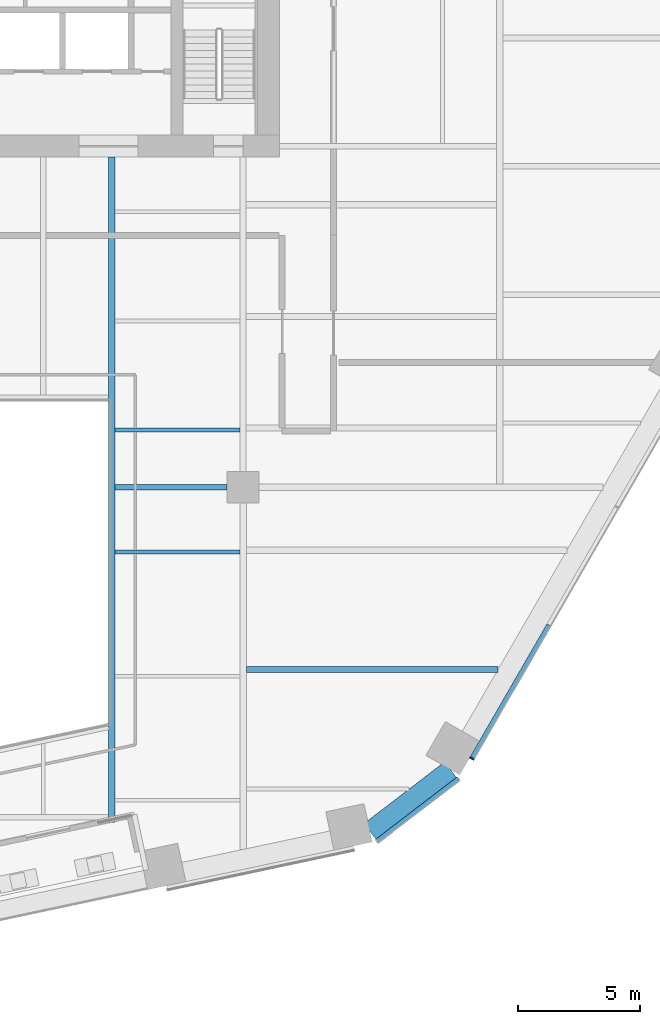
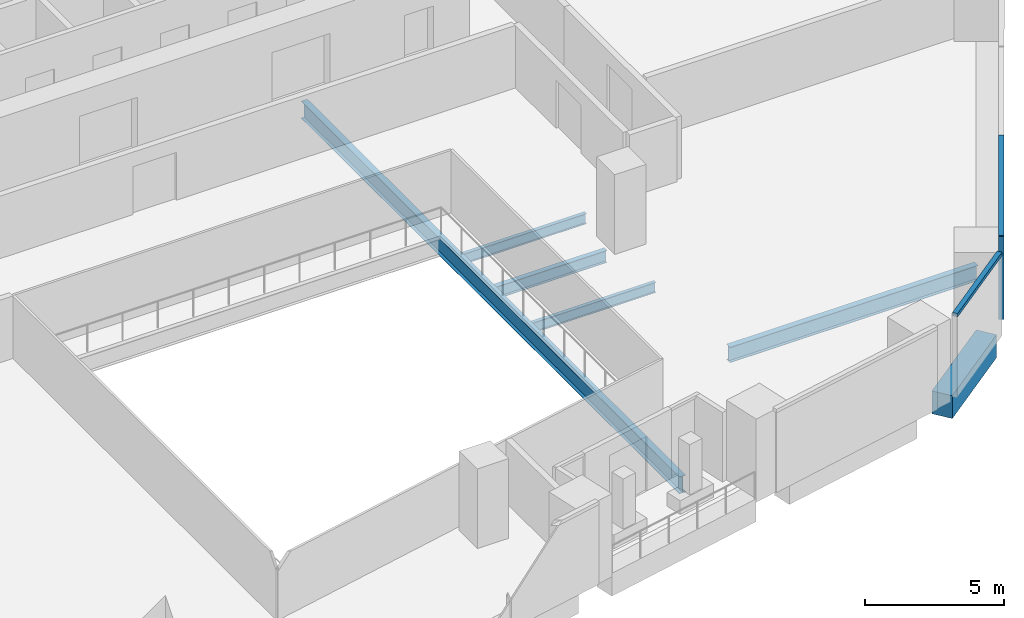
# One storey, part 7 of 28: 6 beams, 3 members, 2 elements without a shape of their own.
"""IFC4 building model written with IfcOpenShell, lengths in metres."""

from ifc_helpers import new_model, si_unit, direction, frame, origin, origin_2d, place, context, subcontext, project, spatial, rectangle, i_section, extrude, material, layer, layer_set, material_profile, profile_set, type_object, element, aggregate, save


model = new_model("IFC4")

# Units and contexts
model_context = context("Model", 3, precision=1e-05, world=origin(), true_north=direction((0.0, 1.0)))
body_context = subcontext(model_context, "Body", "Model", "MODEL_VIEW")
ifc_project = project(units=[si_unit("LENGTHUNIT", "METRE"), si_unit("AREAUNIT", "SQUARE_METRE"), si_unit("VOLUMEUNIT", "CUBIC_METRE"), si_unit("PLANEANGLEUNIT", "RADIAN"), si_unit("MASSUNIT", "GRAM", prefix="KILO")], contexts=[model_context])

# Site, building, storey
site_placement = place(None, origin())
site = spatial("IfcSite", under=ifc_project, at=site_placement, CompositionType="ELEMENT")
building_placement = place(site_placement, origin())
building = spatial("IfcBuilding", under=site, at=building_placement, Name="Isthmus Gate Tower", CompositionType="ELEMENT")
storey_placement = place(building_placement, frame((0.0, 0.0, 98.89990234375)))
storey = spatial("IfcBuildingStorey", under=building, at=storey_placement, Name="L23", CompositionType="ELEMENT", Elevation=98.89990234375)

# Curtain wall, member
ifc_material_1 = material(Name="Aluminium, pale champagne anodised", Category="aluminium")
ifc_layer = layer(ifc_material_1, 0.199951171875)
ifc_layer_set = layer_set([ifc_layer], Name="CW-1 UNITISED CURTAIN WALL 200 DEEP")
curtain_wall_type = type_object("IfcCurtainWallType", Name="CW-1 UNITISED CURTAIN WALL 200 DEEP", PredefinedType="NOTDEFINED", material=ifc_layer_set)
curtain_wall_1_placement = place(storey_placement, origin())
curtain_wall_1 = element("IfcCurtainWall", 1, at=curtain_wall_1_placement, inside=storey, type_object=curtain_wall_type, Name="CW-1 SE L23", PredefinedType="NOTDEFINED")
ifc_material_2 = material(Name="Aluminium, pale champagne anodised", Category="aluminium")
ifc_material_profile_1 = material_profile(ifc_material_2, rectangle(XDim=0.06005859375, YDim=0.199951171875, at=origin_2d()), Name="60x200")
ifc_profile_set_1 = profile_set([ifc_material_profile_1], Name="Aluminium, pale champagne anodised")
member_type_1 = type_object("IfcMemberType", Name="CW-1 MULLION 60 X 200", PredefinedType="MULLION", material=ifc_profile_set_1)
member_1_placement = place(storey_placement, frame((22.863525390625, -24.599365234375, 0.0), z_axis=(0.0, 0.0, 1.0), x_axis=(0.5, 0.866025403784, 0.0)))
member_1 = element("IfcMember", 2, at=member_1_placement, type_object=member_type_1, Name="CW-1 mullion", PredefinedType="MULLION", context=body_context, shape_type="SweptSolid", body=[
    extrude(rectangle(XDim=0.06005859375, YDim=0.199951171875, at=origin_2d()), origin(), (0.0, 0.0, 1.0), 3.650146484375),
])

curtain_wall_2_placement = place(storey_placement, origin())
curtain_wall_2 = element("IfcCurtainWall", 3, at=curtain_wall_2_placement, inside=storey, type_object=curtain_wall_type, Name="CW-1 S-SE L23", PredefinedType="NOTDEFINED")
ifc_material_3 = material(Name="Aluminium, pale champagne anodised", Category="aluminium")
ifc_material_profile_2 = material_profile(ifc_material_3, rectangle(XDim=0.199951171875, YDim=0.14990234375, at=origin_2d()), Name="200x150")
ifc_profile_set_2 = profile_set([ifc_material_profile_2], Name="Aluminium, pale champagne anodised")
member_type_2 = type_object("IfcMemberType", Name="CW-1 TRANSOM 200 X 150", PredefinedType="USERDEFINED", material=ifc_profile_set_2)
member_2_placement = place(storey_placement, frame((19.002685546875, -27.96435546875, 3.5751953125), z_axis=(0.794175498212, 0.607688471209, 0.0), x_axis=(-0.607688471209, 0.794175498212, 0.0)))
member_2 = element("IfcMember", 4, at=member_2_placement, type_object=member_type_2, Name="CW-1 transom", ObjectType="TRANSOM", PredefinedType="USERDEFINED", context=body_context, shape_type="SweptSolid", body=[
    extrude(rectangle(XDim=0.199951171875, YDim=0.14990234375, at=origin_2d()), origin(), (0.0, 0.0, 1.0), 4.181396484375),
])
aggregate(curtain_wall_2, [member_2])

# Member
member_3_placement = place(storey_placement, frame((22.87841796875, -24.5732421875, 3.5751953125), z_axis=(0.50002426866, 0.866011391814, 0.0), x_axis=(-0.866011391814, 0.50002426866, 0.0)))
member_3 = element("IfcMember", 5, at=member_3_placement, type_object=member_type_2, Name="CW-1 transom", ObjectType="TRANSOM", PredefinedType="USERDEFINED", context=body_context, shape_type="SweptSolid", body=[
    extrude(rectangle(XDim=0.199951171875, YDim=0.14990234375, at=origin_2d()), origin(), (0.0, 0.0, 1.0), 6.278564453125),
])

aggregate(curtain_wall_1, [member_1, member_3])

# Beams
ifc_material_4 = material(Name="Concrete f'c 70 MPa", Category="concrete")
ifc_material_profile_3 = material_profile(ifc_material_4, rectangle(XDim=0.800048828125, YDim=1.0, at=origin_2d()), Name="RC 800X1000")
ifc_profile_set_3 = profile_set([ifc_material_profile_3], Name="Concrete f'c 70 MPa")
beam_type_1 = type_object("IfcBeamType", Name="RC SPANDREL 800 X 1000", PredefinedType="SPANDREL", material=ifc_profile_set_3)
beam_1_placement = place(storey_placement, frame((21.98681640625, -25.051513671875, -0.5), z_axis=(-0.794205941875, -0.607648682949, 0.0), x_axis=(0.607648682949, -0.794205941875, 0.0)))
element("IfcBeam", 6, at=beam_1_placement, inside=storey, type_object=beam_type_1, Name="str-spandrel-L23-09", PredefinedType="SPANDREL", context=body_context, shape_type="SweptSolid", body=[
    extrude(rectangle(XDim=0.800048828125, YDim=1.0, at=origin_2d()), origin(), (0.0, 0.0, 1.0), 4.15234375),
])
ifc_material_5 = material(Name="Structural steel ASTM A992 Gr 50", Category="steel")
ifc_material_profile_4 = material_profile(ifc_material_5, i_section(OverallWidth=0.15234375, OverallDepth=0.45068359375, WebThickness=0.0078125, FlangeThickness=0.010986328125, at=origin_2d()), Name="W18X35")
ifc_profile_set_4 = profile_set([ifc_material_profile_4], Name="Structural steel ASTM A992 Gr 50")
beam_type_2 = type_object("IfcBeamType", Name="STEEL FLOOR BEAM W18X35", PredefinedType="JOIST", material=ifc_profile_set_4)
beam_2_placement = place(storey_placement, frame((8.263427734375, -11.16259765625, -0.375244140625), z_axis=(1.0, 0.0, 0.0), x_axis=(0.0, 1.0, 0.0)))
element("IfcBeam", 7, at=beam_2_placement, inside=storey, type_object=beam_type_2, Name="str-beam-L23-27-00", PredefinedType="JOIST", context=body_context, shape_type="SweptSolid", body=[
    extrude(i_section(OverallWidth=0.15234375, OverallDepth=0.45068359375, WebThickness=0.0078125, FlangeThickness=0.010986328125, at=origin_2d()), origin(), (0.0, 0.0, 1.0), 5.104736328125),
])
beam_3_placement = place(storey_placement, frame((8.263427734375, -16.144775390625, -0.375244140625), z_axis=(1.0, 0.0, 0.0), x_axis=(0.0, 1.0, 0.0)))
element("IfcBeam", 8, at=beam_3_placement, inside=storey, type_object=beam_type_2, Name="str-beam-L23-28-02", PredefinedType="JOIST", context=body_context, shape_type="SweptSolid", body=[
    extrude(i_section(OverallWidth=0.15234375, OverallDepth=0.45068359375, WebThickness=0.0078125, FlangeThickness=0.010986328125, at=origin_2d()), origin(), (0.0, 0.0, 1.0), 5.103271484375),
])
ifc_material_6 = material(Name="Structural steel ASTM A992 Gr 50", Category="steel")
ifc_material_profile_5 = material_profile(ifc_material_6, i_section(OverallWidth=0.25390625, OverallDepth=0.679443359375, WebThickness=0.010986328125, FlangeThickness=0.015869140625, at=origin_2d()), Name="W27X84")
ifc_profile_set_5 = profile_set([ifc_material_profile_5], Name="Structural steel ASTM A992 Gr 50")
beam_type_3 = type_object("IfcBeamType", Name="STEEL FLOOR BEAM W27X84", PredefinedType="JOIST", material=ifc_profile_set_5)
beam_4_placement = place(storey_placement, frame((13.63330078125, -20.958740234375, -0.489501953125), z_axis=(1.0, 0.0, 0.0), x_axis=(0.0, 1.0, 0.0)))
element("IfcBeam", 9, at=beam_4_placement, inside=storey, type_object=beam_type_3, Name="str-beam-L23-32-01", PredefinedType="JOIST", context=body_context, shape_type="SweptSolid", body=[
    extrude(i_section(OverallWidth=0.25390625, OverallDepth=0.679443359375, WebThickness=0.010986328125, FlangeThickness=0.015869140625, at=origin_2d()), origin(), (0.0, 0.0, 1.0), 10.292724609375),
])
ifc_material_7 = material(Name="Structural steel ASTM A992 Gr 50", Category="steel")
ifc_material_profile_6 = material_profile(ifc_material_7, i_section(OverallWidth=0.20947265625, OverallDepth=0.533447265625, WebThickness=0.009521484375, FlangeThickness=0.015869140625, at=origin_2d()), Name="W21X62")
ifc_profile_set_6 = profile_set([ifc_material_profile_6], Name="Structural steel ASTM A992 Gr 50")
beam_type_4 = type_object("IfcBeamType", Name="STEEL GIRDER W21X62", PredefinedType="BEAM", material=ifc_profile_set_6)
beam_5_placement = place(storey_placement, frame((8.263427734375, -13.5, -0.41650390625), z_axis=(1.0, 0.0, 0.0), x_axis=(0.0, 1.0, 0.0)))
element("IfcBeam", 10, at=beam_5_placement, inside=storey, type_object=beam_type_4, Name="str-girder-L23-07", PredefinedType="BEAM", context=body_context, shape_type="SweptSolid", body=[
    extrude(i_section(OverallWidth=0.20947265625, OverallDepth=0.533447265625, WebThickness=0.009521484375, FlangeThickness=0.015869140625, at=origin_2d()), origin(), (0.0, 0.0, 1.0), 4.586669921875),
])
ifc_material_8 = material(Name="Structural steel ASTM A992 Gr 50", Category="steel")
ifc_material_profile_7 = material_profile(ifc_material_8, i_section(OverallWidth=0.263427734375, OverallDepth=0.749267578125, WebThickness=0.0126953125, FlangeThickness=0.015869140625, at=origin_2d()), Name="W30X90")
ifc_profile_set_7 = profile_set([ifc_material_profile_7], Name="Structural steel ASTM A992 Gr 50")
beam_type_5 = type_object("IfcBeamType", Name="STEEL TRIMMER W30X90", PredefinedType="BEAM", material=ifc_profile_set_7)
beam_6_placement = place(storey_placement, frame((8.1318359375, -27.20458984375, -0.524658203125), z_axis=(0.0, 1.0, 0.0), x_axis=(-1.0, 0.0, 0.0)))
element("IfcBeam", 11, at=beam_6_placement, inside=storey, type_object=beam_type_5, Name="str-trimmer-L23-01", PredefinedType="BEAM", context=body_context, shape_type="SweptSolid", body=[
    extrude(i_section(OverallWidth=0.263427734375, OverallDepth=0.749267578125, WebThickness=0.0126953125, FlangeThickness=0.015869140625, at=origin_2d()), origin(), (0.0, 0.0, 1.0), 27.20458984375),
])

save(model, "model.ifc")
